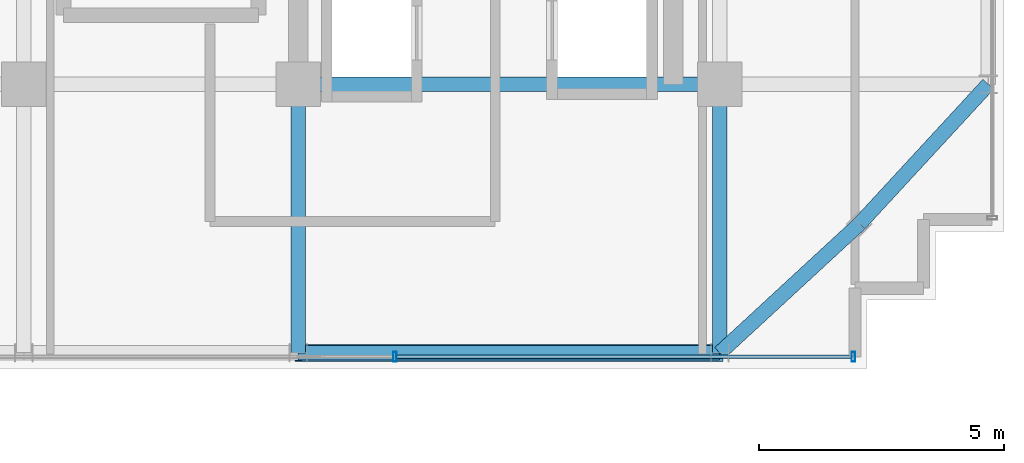
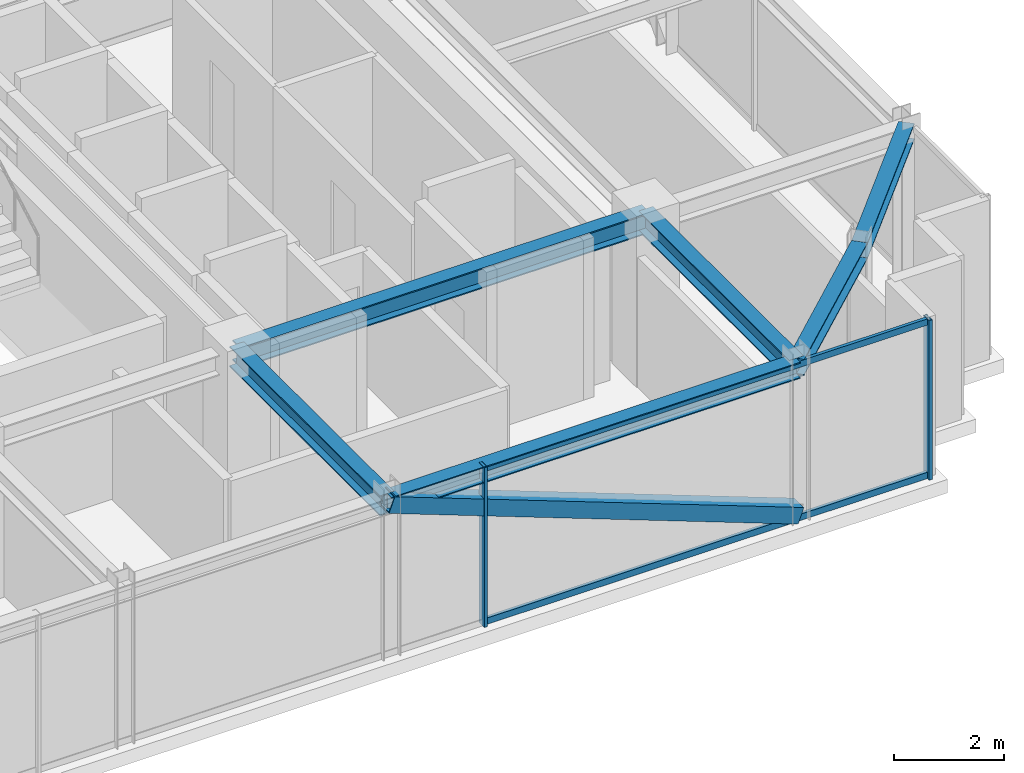
# One storey, part 14 of 37: 6 beams, 5 members, 1 element without a shape of its own.
"""IFC4 building model written with IfcOpenShell, lengths in metres."""

from ifc_helpers import new_model, si_unit, direction, frame, origin, origin_2d, place, context, subcontext, project, spatial, hollow_rectangle, i_section, extrude, source, transform, mapped, material, material_profile, profile_set, type_object, element, aggregate, save


model = new_model("IFC4")

# Units and contexts
model_context = context("Model", 3, precision=1e-05, world=origin(), true_north=direction((0.0, 1.0)))
body_context = subcontext(model_context, "Body", "Model", "MODEL_VIEW")
ifc_project = project(units=[si_unit("LENGTHUNIT", "METRE"), si_unit("AREAUNIT", "SQUARE_METRE"), si_unit("VOLUMEUNIT", "CUBIC_METRE"), si_unit("PLANEANGLEUNIT", "RADIAN"), si_unit("MASSUNIT", "GRAM", prefix="KILO")], contexts=[model_context])

# Site, building, storey
site_placement = place(None, origin())
site = spatial("IfcSite", under=ifc_project, at=site_placement, CompositionType="ELEMENT")
building_placement = place(site_placement, origin())
building = spatial("IfcBuilding", under=site, at=building_placement, Name="Nahalor Promenade Grand Hotel", CompositionType="ELEMENT")
storey_placement = place(building_placement, frame((0.0, 0.0, 292.64990234375)))
storey = spatial("IfcBuildingStorey", under=building, at=storey_placement, Name="L75", CompositionType="ELEMENT", Elevation=292.64990234375)

# Beams
ifc_material_1 = material(Name="Steel S355JR", Category="steel")
ifc_material_profile_1 = material_profile(ifc_material_1, i_section(OverallWidth=0.3, OverallDepth=0.45, WebThickness=0.014, FlangeThickness=0.026, at=origin_2d()), Name="HEB 450")
ifc_profile_set_1 = profile_set([ifc_material_profile_1], Name="Steel S355JR")
beam_type_1 = type_object("IfcBeamType", Name="Beam-Girder-HEB450", PredefinedType="BEAM", material=ifc_profile_set_1)
shared_shape_1 = source(origin(), body_context, "Body", "SweptSolid", [
    extrude(i_section(OverallWidth=0.3, OverallDepth=0.45, WebThickness=0.014, FlangeThickness=0.026, at=origin_2d()), origin(), (0.0, 0.0, 1.0), 8.60009765625),
])
beam_1_placement = place(storey_placement, frame((8.39990234375, -17.0, 3.3251953125), z_axis=(1.0, 0.0, 0.0), x_axis=(0.0, 1.0, 0.0)))
element("IfcBeam", 1, at=beam_1_placement, inside=storey, type_object=beam_type_1, Name="BM-L75-GX-0-5", PredefinedType="BEAM", context=body_context, shape_type="MappedRepresentation", body=[
    mapped(shared_shape_1, transform((0.0, 0.0, 0.0), scale=1.0)),
])
shared_shape_2 = source(origin(), body_context, "Body", "SweptSolid", [
    extrude(i_section(OverallWidth=0.3, OverallDepth=0.45, WebThickness=0.014, FlangeThickness=0.026, at=origin_2d()), origin(), (0.0, 0.0, 1.0), 5.47998046875),
])
for number, where, z_axis, x_axis, name in (
    (2, (8.39990234375, -22.47998046875, 3.3251953125), (0.0, 1.0, 0.0), (-1.0, 0.0, 0.0), "BM-L75-GY-4-0"),
    (3, (17.0, -22.47998046875, 3.3251953125), (0.0, 1.0, 0.0), (-1.0, 0.0, 0.0), "BM-L75-GY-5-0"),
):
    element("IfcBeam", number, at=place(storey_placement, frame(where, z_axis=z_axis, x_axis=x_axis)), inside=storey, type_object=beam_type_1, Name=name, PredefinedType="BEAM", context=body_context, shape_type="MappedRepresentation", body=[
        mapped(shared_shape_2, transform((0.0, 0.0, 0.0), scale=1.0)),
    ])
ifc_material_profile_2 = material_profile(ifc_material_1, i_section(OverallWidth=0.3, OverallDepth=0.36, WebThickness=0.0125, FlangeThickness=0.0225, at=origin_2d()), Name="HEB 360")
ifc_profile_set_2 = profile_set([ifc_material_profile_2], Name="Steel S355JR")
beam_type_2 = type_object("IfcBeamType", Name="Beam-Spandrel-HEB360", PredefinedType="SPANDREL", material=ifc_profile_set_2)
shared_shape_3 = source(origin(), body_context, "Body", "SweptSolid", [
    extrude(i_section(OverallWidth=0.3, OverallDepth=0.36, WebThickness=0.0125, FlangeThickness=0.0225, at=origin_2d()), origin(), (0.0, 0.0, 1.0), 8.60009765625),
])
beam_2_placement = place(storey_placement, frame((8.39990234375, -22.47998046875, 3.3701171875), z_axis=(1.0, 0.0, 0.0), x_axis=(0.0, 1.0, 0.0)))
element("IfcBeam", 4, at=beam_2_placement, inside=storey, type_object=beam_type_2, Name="BM-L75-SP-S-4", PredefinedType="SPANDREL", context=body_context, shape_type="MappedRepresentation", body=[
    mapped(shared_shape_3, transform((0.0, 0.0, 0.0), scale=1.0)),
])
shared_shape_4 = source(origin(), body_context, "Body", "SweptSolid", [
    extrude(i_section(OverallWidth=0.3, OverallDepth=0.36, WebThickness=0.0125, FlangeThickness=0.0225, at=origin_2d()), origin(), (0.0, 0.0, 1.0), 3.878173828125),
])
for number, where, z_axis, x_axis, name in (
    (5, (17.0, -22.47998046875, 3.3701171875), (0.73492893846, 0.678144125843, 0.0), (-0.678144125843, 0.73492893846, 0.0), "BM-L75-SPC-SE-1"),
    (6, (19.85009765625, -19.85009765625, 3.3701171875), (0.678144125843, 0.73492893846, 0.0), (-0.73492893846, 0.678144125843, 0.0), "BM-L75-SPC-SE-2"),
):
    element("IfcBeam", number, at=place(storey_placement, frame(where, z_axis=z_axis, x_axis=x_axis)), inside=storey, type_object=beam_type_2, Name=name, PredefinedType="SPANDREL", context=body_context, shape_type="MappedRepresentation", body=[
        mapped(shared_shape_4, transform((0.0, 0.0, 0.0), scale=1.0)),
    ])

# Member
ifc_material_profile_3 = material_profile(ifc_material_1, hollow_rectangle(XDim=0.35, YDim=0.35, WallThickness=0.02, at=origin_2d()), Name="SHS 350x350x20")
ifc_profile_set_3 = profile_set([ifc_material_profile_3], Name="Steel S355JR")
member_type_1 = type_object("IfcMemberType", Name="Mem-VoidBrace-SHS350", PredefinedType="BRACE", material=ifc_profile_set_3)
shared_shape_5 = source(origin(), body_context, "Body", "SweptSolid", [
    extrude(hollow_rectangle(XDim=0.35, YDim=0.35, WallThickness=0.02, at=origin_2d()), origin(), (0.0, 0.0, 1.0), 9.193603515625),
])
member_1_placement = place(storey_placement, frame((17.0, -22.47998046875, 0.150146484375), z_axis=(-0.935433460247, 0.0, 0.353502816749), x_axis=(0.0, -1.0, 0.0)))
element("IfcMember", 7, at=member_1_placement, inside=storey, type_object=member_type_1, Name="EXO-L75-S-1", PredefinedType="BRACE", context=body_context, shape_type="MappedRepresentation", body=[
    mapped(shared_shape_5, transform((0.0, 0.0, 0.0), scale=1.0)),
])

# Curtain wall, members
ifc_material_2 = material(Name="Anodised Bronze Aluminium EN AW-6063 T6", Category="aluminium")
curtain_wall_type = type_object("IfcCurtainWallType", Name="CW3 Elliptical-Void Collar Unitised Curtain Wall", PredefinedType="USERDEFINED", material=ifc_material_2)
curtain_wall_placement = place(storey_placement, origin())
curtain_wall = element("IfcCurtainWall", 8, at=curtain_wall_placement, inside=storey, type_object=curtain_wall_type, Name="L75 Curtain Wall CW-L75-S-3", ObjectType="UNITISED_CURTAIN_WALL", PredefinedType="USERDEFINED")
ifc_material_profile_4 = material_profile(ifc_material_2, hollow_rectangle(XDim=0.07, YDim=0.14, WallThickness=0.004, at=origin_2d()), Name="CWT 70x140x4")
ifc_profile_set_4 = profile_set([ifc_material_profile_4], Name="Anodised Bronze Aluminium EN AW-6063 T6")
member_type_2 = type_object("IfcMemberType", Name="CWT3 Void Collar Transom 70x140", PredefinedType="USERDEFINED", material=ifc_profile_set_4)
shared_shape_6 = source(origin(), body_context, "Body", "SweptSolid", [
    extrude(hollow_rectangle(XDim=0.07, YDim=0.14, WallThickness=0.004, at=origin_2d()), origin(), (0.0, 0.0, 1.0), 9.281494140625),
])
member_2_placement = place(storey_placement, frame((10.408447265625, -22.56005859375, 0.070068359375), z_axis=(1.0, 0.0, 0.0), x_axis=(0.0, 1.0, 0.0)))
member_2 = element("IfcMember", 9, at=member_2_placement, type_object=member_type_2, Name="CW-L75-S-3 Transom 2-0", ObjectType="TRANSOM", PredefinedType="USERDEFINED", context=body_context, shape_type="MappedRepresentation", body=[
    mapped(shared_shape_6, transform((0.0, 0.0, 0.0), scale=1.0)),
])
member_3_placement = place(storey_placement, frame((10.408447265625, -22.56005859375, 3.47998046875), z_axis=(1.0, 0.0, 0.0), x_axis=(0.0, 1.0, 0.0)))
member_3 = element("IfcMember", 10, at=member_3_placement, type_object=member_type_2, Name="CW-L75-S-3 Transom 2-1", ObjectType="TRANSOM", PredefinedType="USERDEFINED", context=body_context, shape_type="MappedRepresentation", body=[
    mapped(shared_shape_6, transform((0.0, 0.0, 0.0), scale=1.0)),
])
ifc_material_profile_5 = material_profile(ifc_material_2, hollow_rectangle(XDim=0.07, YDim=0.2, WallThickness=0.005, at=origin_2d()), Name="CWM 70x200x5")
ifc_profile_set_5 = profile_set([ifc_material_profile_5], Name="Anodised Bronze Aluminium EN AW-6063 T6")
member_type_3 = type_object("IfcMemberType", Name="CWM3 Void Collar Mullion 70x200", PredefinedType="MULLION", material=ifc_profile_set_5)
shared_shape_7 = source(origin(), body_context, "Body", "SweptSolid", [
    extrude(hollow_rectangle(XDim=0.07, YDim=0.2, WallThickness=0.005, at=origin_2d()), origin(), (0.0, 0.0, 1.0), 3.550048828125),
])
member_4_placement = place(storey_placement, frame((10.373291015625, -22.56005859375, 0.0), z_axis=(0.0, 0.0, 1.0), x_axis=(1.0, 0.0, 0.0)))
member_4 = element("IfcMember", 11, at=member_4_placement, type_object=member_type_3, Name="CW-L75-S-3 Mullion 2", PredefinedType="MULLION", context=body_context, shape_type="MappedRepresentation", body=[
    mapped(shared_shape_7, transform((0.0, 0.0, 0.0), scale=1.0)),
])
member_5_placement = place(storey_placement, frame((19.72509765625, -22.56005859375, 0.0), z_axis=(0.0, 0.0, 1.0), x_axis=(1.0, 0.0, 0.0)))
member_5 = element("IfcMember", 12, at=member_5_placement, type_object=member_type_3, Name="CW-L75-S-3 Mullion 3", PredefinedType="MULLION", context=body_context, shape_type="MappedRepresentation", body=[
    mapped(shared_shape_7, transform((0.0, 0.0, 0.0), scale=1.0)),
])
aggregate(curtain_wall, [member_4, member_5, member_2, member_3])

save(model, "model.ifc")
